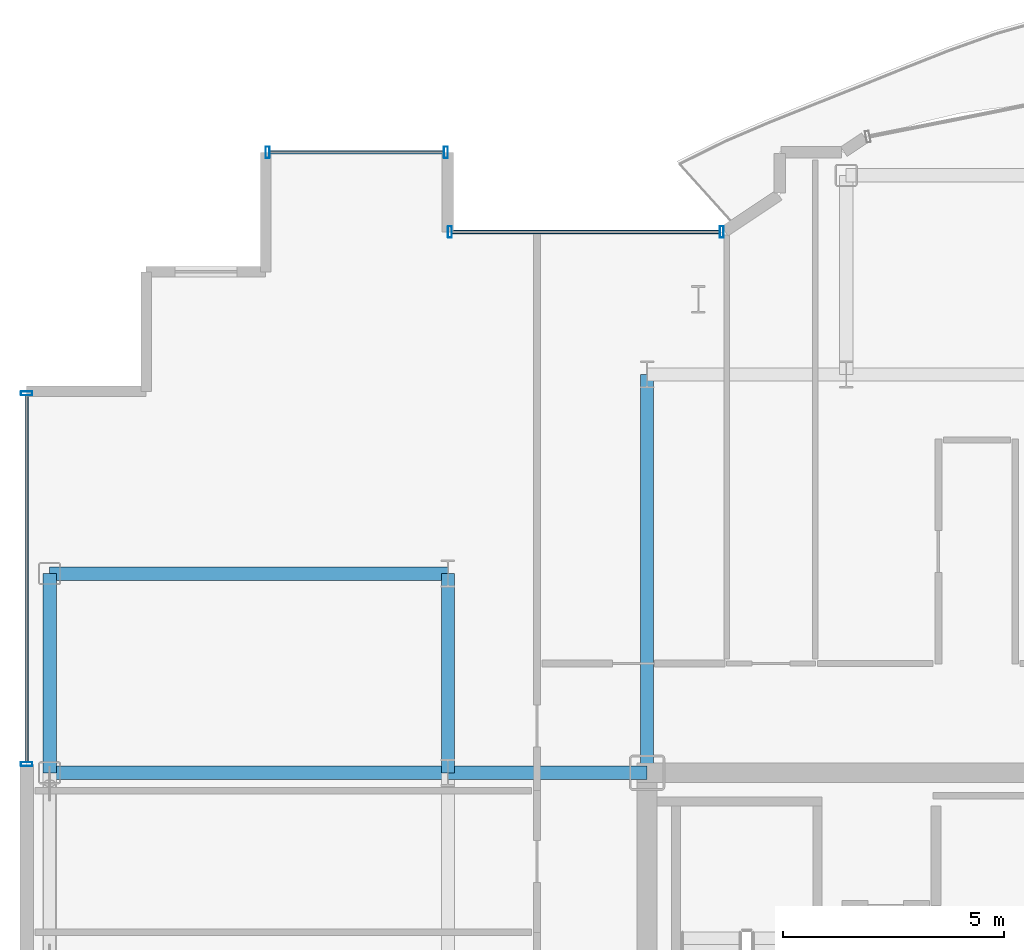
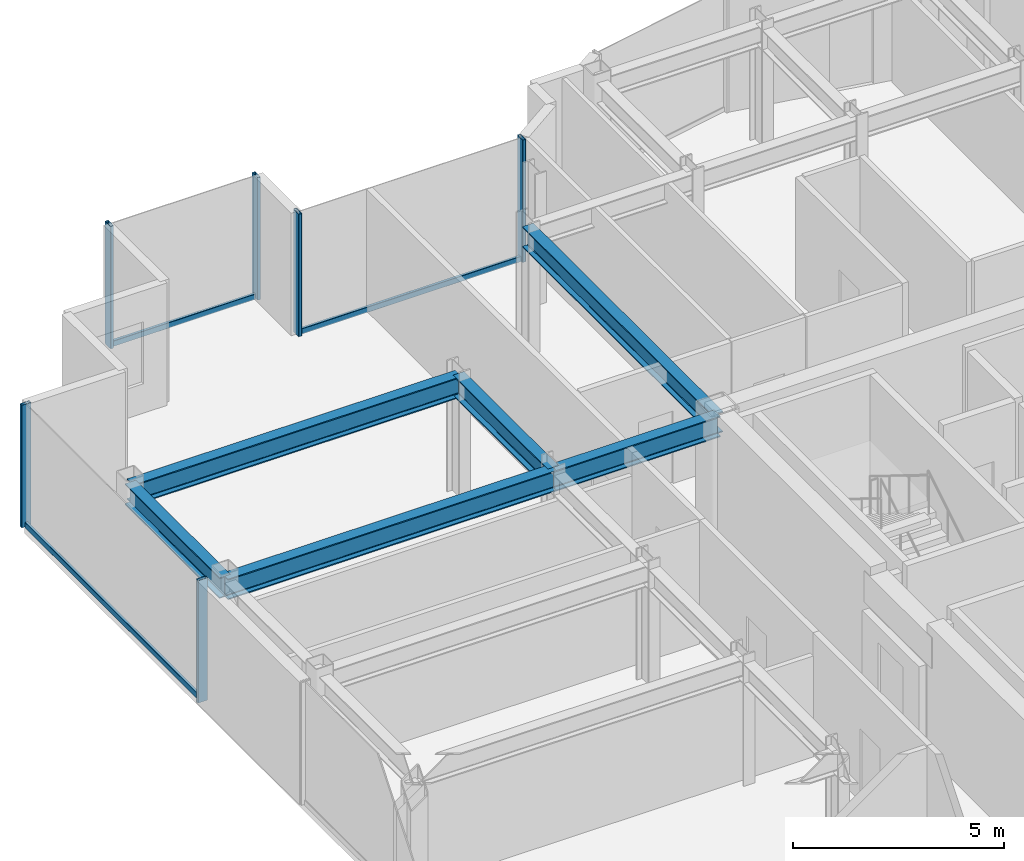
# One storey, part 7 of 18: 9 members, 6 beams, 3 elements without a shape of their own.
"""IFC4 building model written with IfcOpenShell, lengths in metres."""

from ifc_helpers import new_model, si_unit, direction, frame, origin, origin_2d, place, context, subcontext, project, spatial, hollow_rectangle, i_section, extrude, source, transform, mapped, material, layer, layer_set, material_profile, profile_set, type_object, element, aggregate, save


model = new_model("IFC4")

# Units and contexts
model_context = context("Model", 3, precision=1e-05, world=origin(), true_north=direction((0.0, 1.0)))
body_context = subcontext(model_context, "Body", "Model", "MODEL_VIEW")
ifc_project = project(units=[si_unit("LENGTHUNIT", "METRE"), si_unit("AREAUNIT", "SQUARE_METRE"), si_unit("VOLUMEUNIT", "CUBIC_METRE"), si_unit("PLANEANGLEUNIT", "RADIAN"), si_unit("MASSUNIT", "GRAM", prefix="KILO")], contexts=[model_context])

# Site, building, storey
site_placement = place(None, origin())
site = spatial("IfcSite", under=ifc_project, at=site_placement, CompositionType="ELEMENT")
building_placement = place(site_placement, origin())
building = spatial("IfcBuilding", under=site, at=building_placement, Name="Nefas-Gora Pilgrimage Tower", CompositionType="ELEMENT")
storey_placement = place(building_placement, frame((0.0, 0.0, 298.800048828125)))
storey = spatial("IfcBuildingStorey", under=building, at=storey_placement, Name="L75", CompositionType="ELEMENT", Elevation=298.800048828125)

# Beams
ifc_material_1 = material(Name="Steel S355", Category="steel")
ifc_material_profile_1 = material_profile(ifc_material_1, i_section(OverallWidth=0.300048828125, OverallDepth=0.60009765625, WebThickness=0.015380859375, FlangeThickness=0.030029296875, FilletRadius=0.027099609375, at=origin_2d()), Name="HEB 600")
ifc_profile_set_1 = profile_set([ifc_material_profile_1], Name="Steel S355")
beam_type_1 = type_object("IfcBeamType", Name="BM-SPN-HEB450", PredefinedType="SPANDREL", material=ifc_profile_set_1)
shared_shape_1 = source(origin(), body_context, "Body", "SweptSolid", [
    extrude(i_section(OverallWidth=0.300048828125, OverallDepth=0.60009765625, WebThickness=0.015380859375, FlangeThickness=0.030029296875, FilletRadius=0.027099609375, at=origin_2d()), origin(), (0.0, 0.0, 1.0), 4.5),
])
beam_placement = place(storey_placement, frame((-24.75, 9.0, 3.25), z_axis=(0.0, 1.0, 0.0), x_axis=(-1.0, 0.0, 0.0)))
element("IfcBeam", 1, at=beam_placement, inside=storey, type_object=beam_type_1, Name="L75 SP-03 beam", PredefinedType="SPANDREL", context=body_context, shape_type="MappedRepresentation", body=[
    mapped(shared_shape_1, transform((0.0, 0.0, 0.0), x_axis=(1.0, 0.0, 0.0), y_axis=(0.0, 1.0, 0.0), z_axis=(0.0, 0.0, 1.0), scale=1.0)),
])
ifc_material_profile_2 = material_profile(ifc_material_1, i_section(OverallWidth=0.300048828125, OverallDepth=0.60009765625, WebThickness=0.015380859375, FlangeThickness=0.030029296875, FilletRadius=0.027099609375, at=origin_2d()), Name="HEB 600")
ifc_profile_set_2 = profile_set([ifc_material_profile_2], Name="Steel S355")
beam_type_2 = type_object("IfcBeamType", Name="BM-GIR-HEB600", PredefinedType="BEAM", material=ifc_profile_set_2)
shared_shape_2 = source(origin(), body_context, "Body", "SweptSolid", [
    extrude(i_section(OverallWidth=0.300048828125, OverallDepth=0.60009765625, WebThickness=0.015380859375, FlangeThickness=0.030029296875, FilletRadius=0.027099609375, at=origin_2d()), origin(), (0.0, 0.0, 1.0), 9.0),
])
for number, where, z_axis, x_axis, name in (
    (2, (-24.75, 9.0, 3.25), (1.0, 0.0, 0.0), (0.0, 1.0, 0.0), "L75 G-04 beam"),
    (3, (-24.75, 13.5, 3.25), (1.0, 0.0, 0.0), (0.0, 1.0, 0.0), "L75 G-04 beam"),
    (4, (-11.25, 9.0, 3.25), (0.0, 1.0, 0.0), (-1.0, 0.0, 0.0), "L75 G-04 beam"),
):
    element("IfcBeam", number, at=place(storey_placement, frame(where, z_axis=z_axis, x_axis=x_axis)), inside=storey, type_object=beam_type_2, Name=name, PredefinedType="BEAM", context=body_context, shape_type="MappedRepresentation", body=[
        mapped(shared_shape_2, transform((0.0, 0.0, 0.0), x_axis=(1.0, 0.0, 0.0), y_axis=(0.0, 1.0, 0.0), z_axis=(0.0, 0.0, 1.0), scale=1.0)),
    ])
shared_shape_3 = source(origin(), body_context, "Body", "SweptSolid", [
    extrude(i_section(OverallWidth=0.300048828125, OverallDepth=0.60009765625, WebThickness=0.015380859375, FlangeThickness=0.030029296875, FilletRadius=0.027099609375, at=origin_2d()), origin(), (0.0, 0.0, 1.0), 4.5),
])
for number, where, z_axis, x_axis, name in (
    (5, (-15.75, 9.0, 3.25), (0.0, 1.0, 0.0), (-1.0, 0.0, 0.0), "L75 G-04 beam"),
    (6, (-15.75, 9.0, 3.25), (1.0, 0.0, 0.0), (0.0, 1.0, 0.0), "L75 G-04 beam"),
):
    element("IfcBeam", number, at=place(storey_placement, frame(where, z_axis=z_axis, x_axis=x_axis)), inside=storey, type_object=beam_type_2, Name=name, PredefinedType="BEAM", context=body_context, shape_type="MappedRepresentation", body=[
        mapped(shared_shape_3, transform((0.0, 0.0, 0.0), x_axis=(1.0, 0.0, 0.0), y_axis=(0.0, 1.0, 0.0), z_axis=(0.0, 0.0, 1.0), scale=1.0)),
    ])

# Curtain wall, members
ifc_material_2 = material(Name="Dark ceramic-fritted solar-control aluminium-glass curtain wall", Category="aluminium")
ifc_layer_1 = layer(ifc_material_2, 0.219970703125)
ifc_layer_set_1 = layer_set([ifc_layer_1], Name="Dark ceramic-fritted solar-control aluminium-glass curtain wall")
curtain_wall_type_1 = type_object("IfcCurtainWallType", Name="CW-SYS-5", PredefinedType="NOTDEFINED", material=ifc_layer_set_1)
curtain_wall_1_placement = place(storey_placement, origin())
curtain_wall_1 = element("IfcCurtainWall", 7, at=curtain_wall_1_placement, inside=storey, type_object=curtain_wall_type_1, Name="L75 Unitised Curtain Wall CW5", PredefinedType="NOTDEFINED")
ifc_material_3 = material(Name="Anodised architectural aluminium", Category="aluminium")
ifc_material_profile_3 = material_profile(ifc_material_3, hollow_rectangle(XDim=0.090087890625, YDim=0.260009765625, WallThickness=0.006103515625, InnerFilletRadius=0.006103515625, OuterFilletRadius=0.011962890625, at=origin_2d()), Name="ALU MULLION 90x260")
ifc_profile_set_3 = profile_set([ifc_material_profile_3], Name="Anodised architectural aluminium")
member_type_1 = type_object("IfcMemberType", Name="CWM-MUL-5", PredefinedType="MULLION", material=ifc_profile_set_3)
shared_shape_4 = source(origin(), body_context, "Body", "SweptSolid", [
    extrude(hollow_rectangle(XDim=0.090087890625, YDim=0.260009765625, WallThickness=0.006103515625, InnerFilletRadius=0.006103515625, OuterFilletRadius=0.011962890625, at=origin_2d()), origin(), (0.0, 0.0, 1.0), 3.550048828125),
])
member_1_placement = place(storey_placement, frame((-9.56298828125, 21.219970703125, 0.0), z_axis=(0.0, 0.0, 1.0), x_axis=(-1.0, 0.0, 0.0)))
member_1 = element("IfcMember", 8, at=member_1_placement, type_object=member_type_1, Name="CW5 Mullion 1", PredefinedType="MULLION", context=body_context, shape_type="MappedRepresentation", body=[
    mapped(shared_shape_4, transform((0.0, 0.0, 0.0), x_axis=(1.0, 0.0, 0.0), y_axis=(0.0, 1.0, 0.0), z_axis=(0.0, 0.0, 1.0), scale=1.0)),
])
member_2_placement = place(storey_placement, frame((-15.705078125, 21.219970703125, 0.0), z_axis=(0.0, 0.0, 1.0), x_axis=(-1.0, 0.0, 0.0)))
member_2 = element("IfcMember", 9, at=member_2_placement, type_object=member_type_1, Name="CW5 Mullion 2", PredefinedType="MULLION", context=body_context, shape_type="MappedRepresentation", body=[
    mapped(shared_shape_4, transform((0.0, 0.0, 0.0), x_axis=(1.0, 0.0, 0.0), y_axis=(0.0, 1.0, 0.0), z_axis=(0.0, 0.0, 1.0), scale=1.0)),
])
ifc_material_profile_4 = material_profile(ifc_material_3, hollow_rectangle(XDim=0.080078125, YDim=0.159912109375, WallThickness=0.00439453125, InnerFilletRadius=0.00439453125, OuterFilletRadius=0.009033203125, at=origin_2d()), Name="ALU TRANSOM 80x160")
ifc_profile_set_4 = profile_set([ifc_material_profile_4], Name="Anodised architectural aluminium")
member_type_2 = type_object("IfcMemberType", Name="CWM-TRN-5", PredefinedType="USERDEFINED", material=ifc_profile_set_4)
shared_shape_5 = source(origin(), body_context, "Body", "SweptSolid", [
    extrude(hollow_rectangle(XDim=0.080078125, YDim=0.159912109375, WallThickness=0.00439453125, InnerFilletRadius=0.00439453125, OuterFilletRadius=0.009033203125, at=origin_2d()), origin(), (0.0, 0.0, 1.0), 6.052001953125),
])
member_3_placement = place(storey_placement, frame((-9.60791015625, 21.219970703125, 0.050048828125), z_axis=(-1.0, 0.0, 0.0), x_axis=(0.0, -1.0, 0.0)))
member_3 = element("IfcMember", 10, at=member_3_placement, type_object=member_type_2, Name="CW5 Spandrel Transom", ObjectType="TRANSOM", PredefinedType="USERDEFINED", context=body_context, shape_type="MappedRepresentation", body=[
    mapped(shared_shape_5, transform((0.0, 0.0, 0.0), x_axis=(1.0, 0.0, 0.0), y_axis=(0.0, 1.0, 0.0), z_axis=(0.0, 0.0, 1.0), scale=1.0)),
])
aggregate(curtain_wall_1, [member_1, member_2, member_3])

# Curtain wall, member
ifc_layer_2 = layer(ifc_material_2, 0.219970703125)
ifc_layer_set_2 = layer_set([ifc_layer_2], Name="Dark ceramic-fritted solar-control aluminium-glass curtain wall")
curtain_wall_type_2 = type_object("IfcCurtainWallType", Name="CW-SYS-4", PredefinedType="NOTDEFINED", material=ifc_layer_set_2)
curtain_wall_2_placement = place(storey_placement, origin())
curtain_wall_2 = element("IfcCurtainWall", 11, at=curtain_wall_2_placement, inside=storey, type_object=curtain_wall_type_2, Name="L75 Unitised Curtain Wall CW4", PredefinedType="NOTDEFINED")
ifc_material_profile_5 = material_profile(ifc_material_3, hollow_rectangle(XDim=0.080078125, YDim=0.159912109375, WallThickness=0.00439453125, InnerFilletRadius=0.00439453125, OuterFilletRadius=0.009033203125, at=origin_2d()), Name="ALU TRANSOM 80x160")
ifc_profile_set_5 = profile_set([ifc_material_profile_5], Name="Anodised architectural aluminium")
member_type_3 = type_object("IfcMemberType", Name="CWM-TRN-4", PredefinedType="USERDEFINED", material=ifc_profile_set_5)
shared_shape_6 = source(origin(), body_context, "Body", "SweptSolid", [
    extrude(hollow_rectangle(XDim=0.080078125, YDim=0.159912109375, WallThickness=0.00439453125, InnerFilletRadius=0.00439453125, OuterFilletRadius=0.009033203125, at=origin_2d()), origin(), (0.0, 0.0, 1.0), 8.2900390625),
])
member_4_placement = place(storey_placement, frame((-25.27001953125, 17.530029296875, 0.050048828125), z_axis=(0.0, -1.0, 0.0), x_axis=(1.0, 0.0, 0.0)))
member_4 = element("IfcMember", 12, at=member_4_placement, type_object=member_type_3, Name="CW4 Spandrel Transom", ObjectType="TRANSOM", PredefinedType="USERDEFINED", context=body_context, shape_type="MappedRepresentation", body=[
    mapped(shared_shape_6, transform((0.0, 0.0, 0.0), x_axis=(1.0, 0.0, 0.0), y_axis=(0.0, 1.0, 0.0), z_axis=(0.0, 0.0, 1.0), scale=1.0)),
])

# Curtain wall, members
curtain_wall_3_placement = place(storey_placement, origin())
curtain_wall_3 = element("IfcCurtainWall", 13, at=curtain_wall_3_placement, inside=storey, type_object=curtain_wall_type_2, Name="L75 Unitised Curtain Wall CW4", PredefinedType="NOTDEFINED")
shared_shape_7 = source(origin(), body_context, "Body", "SweptSolid", [
    extrude(hollow_rectangle(XDim=0.080078125, YDim=0.159912109375, WallThickness=0.00439453125, InnerFilletRadius=0.00439453125, OuterFilletRadius=0.009033203125, at=origin_2d()), origin(), (0.0, 0.0, 1.0), 3.93994140625),
])
member_5_placement = place(storey_placement, frame((-15.840087890625, 23.02001953125, 0.050048828125), z_axis=(-1.0, 0.0, 0.0), x_axis=(0.0, -1.0, 0.0)))
member_5 = element("IfcMember", 14, at=member_5_placement, type_object=member_type_3, Name="CW4 Spandrel Transom", ObjectType="TRANSOM", PredefinedType="USERDEFINED", context=body_context, shape_type="MappedRepresentation", body=[
    mapped(shared_shape_7, transform((0.0, 0.0, 0.0), x_axis=(1.0, 0.0, 0.0), y_axis=(0.0, 1.0, 0.0), z_axis=(0.0, 0.0, 1.0), scale=1.0)),
])
ifc_material_profile_6 = material_profile(ifc_material_3, hollow_rectangle(XDim=0.090087890625, YDim=0.260009765625, WallThickness=0.006103515625, InnerFilletRadius=0.006103515625, OuterFilletRadius=0.011962890625, at=origin_2d()), Name="ALU MULLION 90x260")
ifc_profile_set_6 = profile_set([ifc_material_profile_6], Name="Anodised architectural aluminium")
member_type_4 = type_object("IfcMemberType", Name="CWM-MUL-4", PredefinedType="MULLION", material=ifc_profile_set_6)
shared_shape_8 = source(origin(), body_context, "Body", "SweptSolid", [
    extrude(hollow_rectangle(XDim=0.090087890625, YDim=0.260009765625, WallThickness=0.006103515625, InnerFilletRadius=0.006103515625, OuterFilletRadius=0.011962890625, at=origin_2d()), origin(), (0.0, 0.0, 1.0), 3.550048828125),
])
member_6_placement = place(storey_placement, frame((-15.794921875, 23.02001953125, 0.0), z_axis=(0.0, 0.0, 1.0), x_axis=(-1.0, 0.0, 0.0)))
member_6 = element("IfcMember", 15, at=member_6_placement, type_object=member_type_4, Name="CW4 Mullion 1", PredefinedType="MULLION", context=body_context, shape_type="MappedRepresentation", body=[
    mapped(shared_shape_8, transform((0.0, 0.0, 0.0), x_axis=(1.0, 0.0, 0.0), y_axis=(0.0, 1.0, 0.0), z_axis=(0.0, 0.0, 1.0), scale=1.0)),
])
member_7_placement = place(storey_placement, frame((-19.824951171875, 23.02001953125, 0.0), z_axis=(0.0, 0.0, 1.0), x_axis=(-1.0, 0.0, 0.0)))
member_7 = element("IfcMember", 16, at=member_7_placement, type_object=member_type_4, Name="CW4 Mullion 2", PredefinedType="MULLION", context=body_context, shape_type="MappedRepresentation", body=[
    mapped(shared_shape_8, transform((0.0, 0.0, 0.0), x_axis=(1.0, 0.0, 0.0), y_axis=(0.0, 1.0, 0.0), z_axis=(0.0, 0.0, 1.0), scale=1.0)),
])
aggregate(curtain_wall_3, [member_6, member_7, member_5])

# Member
member_8_placement = place(storey_placement, frame((-25.27001953125, 17.574951171875, 0.0), z_axis=(0.0, 0.0, 1.0), x_axis=(0.0, -1.0, 0.0)))
member_8 = element("IfcMember", 17, at=member_8_placement, type_object=member_type_4, Name="CW4 Mullion 1", PredefinedType="MULLION", context=body_context, shape_type="MappedRepresentation", body=[
    mapped(shared_shape_8, transform((0.0, 0.0, 0.0), x_axis=(1.0, 0.0, 0.0), y_axis=(0.0, 1.0, 0.0), z_axis=(0.0, 0.0, 1.0), scale=1.0)),
])

member_9_placement = place(storey_placement, frame((-25.27001953125, 9.195068359375, 0.0), z_axis=(0.0, 0.0, 1.0), x_axis=(0.0, -1.0, 0.0)))
member_9 = element("IfcMember", 18, at=member_9_placement, type_object=member_type_4, Name="CW4 Mullion 2", PredefinedType="MULLION", context=body_context, shape_type="MappedRepresentation", body=[
    mapped(shared_shape_8, transform((0.0, 0.0, 0.0), x_axis=(1.0, 0.0, 0.0), y_axis=(0.0, 1.0, 0.0), z_axis=(0.0, 0.0, 1.0), scale=1.0)),
])

aggregate(curtain_wall_2, [member_8, member_9, member_4])

save(model, "model.ifc")
